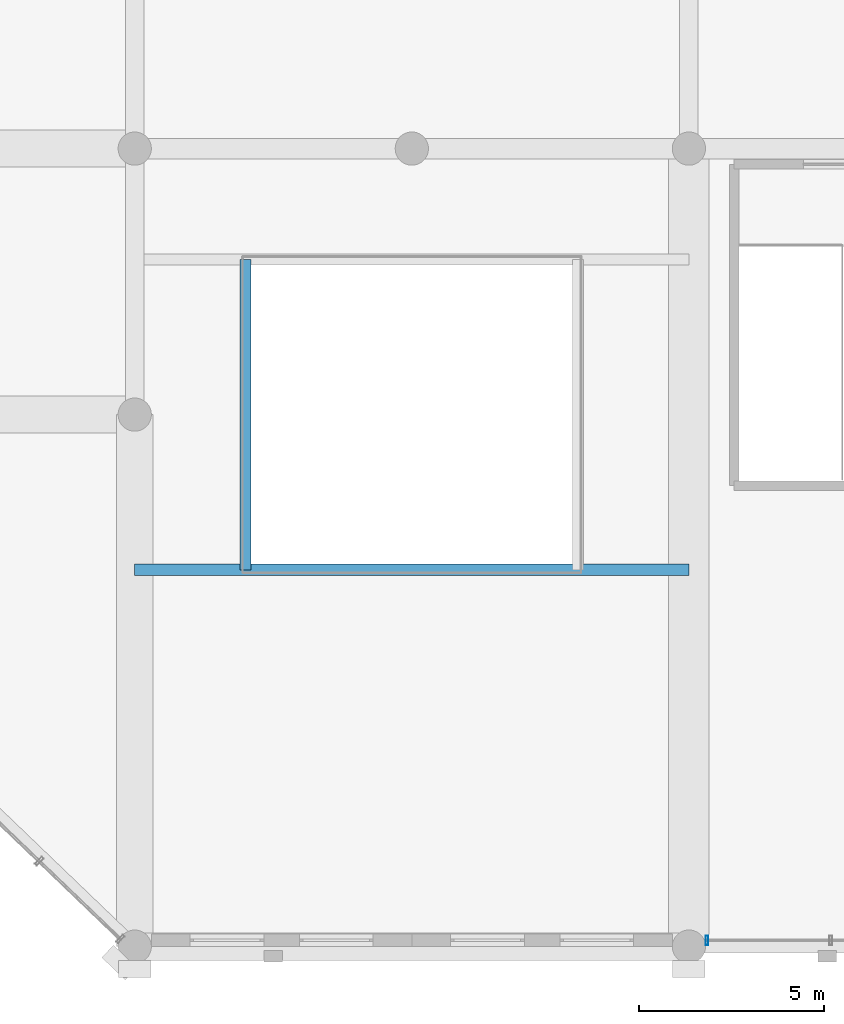
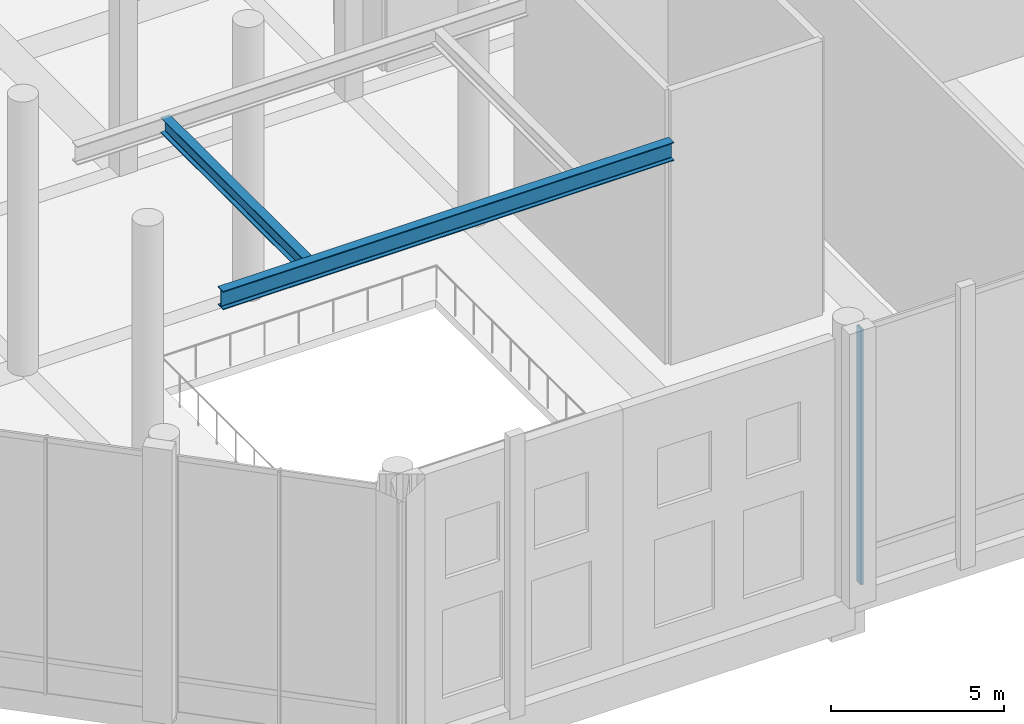
# One storey, part 10 of 80: 2 beams, 1 member, 1 element without a shape of its own.
"""IFC4 building model written with IfcOpenShell, lengths in metres."""

from ifc_helpers import new_model, si_unit, direction, frame, origin, origin_2d, place, context, subcontext, project, spatial, hollow_rectangle, i_section, extrude, material, material_profile, profile_set, type_object, element, aggregate, save


model = new_model("IFC4")

# Units and contexts
model_context = context("Model", 3, precision=1e-05, world=origin(), true_north=direction((0.0, 1.0)))
body_context = subcontext(model_context, "Body", "Model", "MODEL_VIEW")
ifc_project = project(units=[si_unit("LENGTHUNIT", "METRE"), si_unit("AREAUNIT", "SQUARE_METRE"), si_unit("VOLUMEUNIT", "CUBIC_METRE"), si_unit("PLANEANGLEUNIT", "RADIAN"), si_unit("MASSUNIT", "GRAM", prefix="KILO")], contexts=[model_context])

# Site, building, storey
site_placement = place(None, origin())
site = spatial("IfcSite", under=ifc_project, at=site_placement, CompositionType="ELEMENT")
building_placement = place(site_placement, origin())
building = spatial("IfcBuilding", under=site, at=building_placement, Name="Akrevak Sports Hall", CompositionType="ELEMENT")
storey_placement = place(building_placement, frame((0.0, 0.0, 14.0)))
storey = spatial("IfcBuildingStorey", under=building, at=storey_placement, Name="L03", CompositionType="ELEMENT", Elevation=14.0)

# Curtain wall, member
ifc_material_1 = material(Name="Anodized Bronze Aluminium & Low-E Glass", Category="aluminium")
curtain_wall_type = type_object("IfcCurtainWallType", Name="ARC-CW-POD-64x94", PredefinedType="NOTDEFINED", material=ifc_material_1)
curtain_wall_placement = place(storey_placement, origin())
curtain_wall = element("IfcCurtainWall", 1, at=curtain_wall_placement, inside=storey, type_object=curtain_wall_type, Name="Curtain Wall CW-L03-S03", PredefinedType="NOTDEFINED")
ifc_material_2 = material(Name="Anodized Bronze Aluminium", Category="aluminium")
ifc_material_profile_1 = material_profile(ifc_material_2, hollow_rectangle(XDim=0.074951171875, YDim=0.260009765625, WallThickness=0.0048828125, at=origin_2d()), Name="CWM 75x260", Category="aluminium")
ifc_profile_set_1 = profile_set([ifc_material_profile_1], Name="Anodized Bronze Aluminium")
member_type = type_object("IfcMemberType", Name="ARC-CWM-80x180", PredefinedType="MULLION", material=ifc_profile_set_1)
member_placement = place(storey_placement, frame((30.489990234375, 0.169921875, 0.0), z_axis=(0.0, 0.0, 1.0), x_axis=(1.0, 0.0, 0.0)))
member = element("IfcMember", 2, at=member_placement, type_object=member_type, Name="Curtain Wall Mullion CW-L03-S03-M1", PredefinedType="MULLION", context=body_context, shape_type="SweptSolid", body=[
    extrude(hollow_rectangle(XDim=0.074951171875, YDim=0.260009765625, WallThickness=0.0048828125, at=origin_2d()), origin(), (0.0, 0.0, 1.0), 9.0),
])
aggregate(curtain_wall, [member])

# Beams
ifc_material_3 = material(Name="Steel S355", Category="steel")
ifc_material_profile_2 = material_profile(ifc_material_3, i_section(OverallWidth=0.300048828125, OverallDepth=0.550048828125, WebThickness=0.014892578125, FlangeThickness=0.029052734375, FilletRadius=0.027099609375, at=origin_2d()), Name="HEB 550", Category="steel")
ifc_profile_set_2 = profile_set([ifc_material_profile_2], Name="Steel S355")
beam_type_1 = type_object("IfcBeamType", Name="STR-BM-STL-HEB550", PredefinedType="BEAM", material=ifc_profile_set_2)
beam_1_placement = place(storey_placement, frame((18.0, 10.199951171875, 9.35009765625), z_axis=(0.0, 1.0, 0.0), x_axis=(-1.0, 0.0, 0.0)))
element("IfcBeam", 3, at=beam_1_placement, inside=storey, type_object=beam_type_1, Name="Rotunda Oculus West Steel Trimmer", PredefinedType="BEAM", context=body_context, shape_type="SweptSolid", body=[
    extrude(i_section(OverallWidth=0.300048828125, OverallDepth=0.550048828125, WebThickness=0.014892578125, FlangeThickness=0.029052734375, FilletRadius=0.027099609375, at=origin_2d()), origin(), (0.0, 0.0, 1.0), 8.400146484375),
])
ifc_material_profile_3 = material_profile(ifc_material_3, i_section(OverallWidth=0.300048828125, OverallDepth=0.64990234375, WebThickness=0.01611328125, FlangeThickness=0.031005859375, FilletRadius=0.027099609375, at=origin_2d()), Name="HEB 650", Category="steel")
ifc_profile_set_3 = profile_set([ifc_material_profile_3], Name="Steel S355")
beam_type_2 = type_object("IfcBeamType", Name="STR-BM-STL-HEB650", PredefinedType="BEAM", material=ifc_profile_set_3)
beam_2_placement = place(storey_placement, frame((15.0, 10.199951171875, 9.35009765625), z_axis=(1.0, 0.0, 0.0), x_axis=(0.0, 1.0, 0.0)))
element("IfcBeam", 4, at=beam_2_placement, inside=storey, type_object=beam_type_2, Name="Rotunda Oculus South Steel Ring Girder", PredefinedType="BEAM", context=body_context, shape_type="SweptSolid", body=[
    extrude(i_section(OverallWidth=0.300048828125, OverallDepth=0.64990234375, WebThickness=0.01611328125, FlangeThickness=0.031005859375, FilletRadius=0.027099609375, at=origin_2d()), origin(), (0.0, 0.0, 1.0), 15.0),
])

save(model, "model.ifc")
